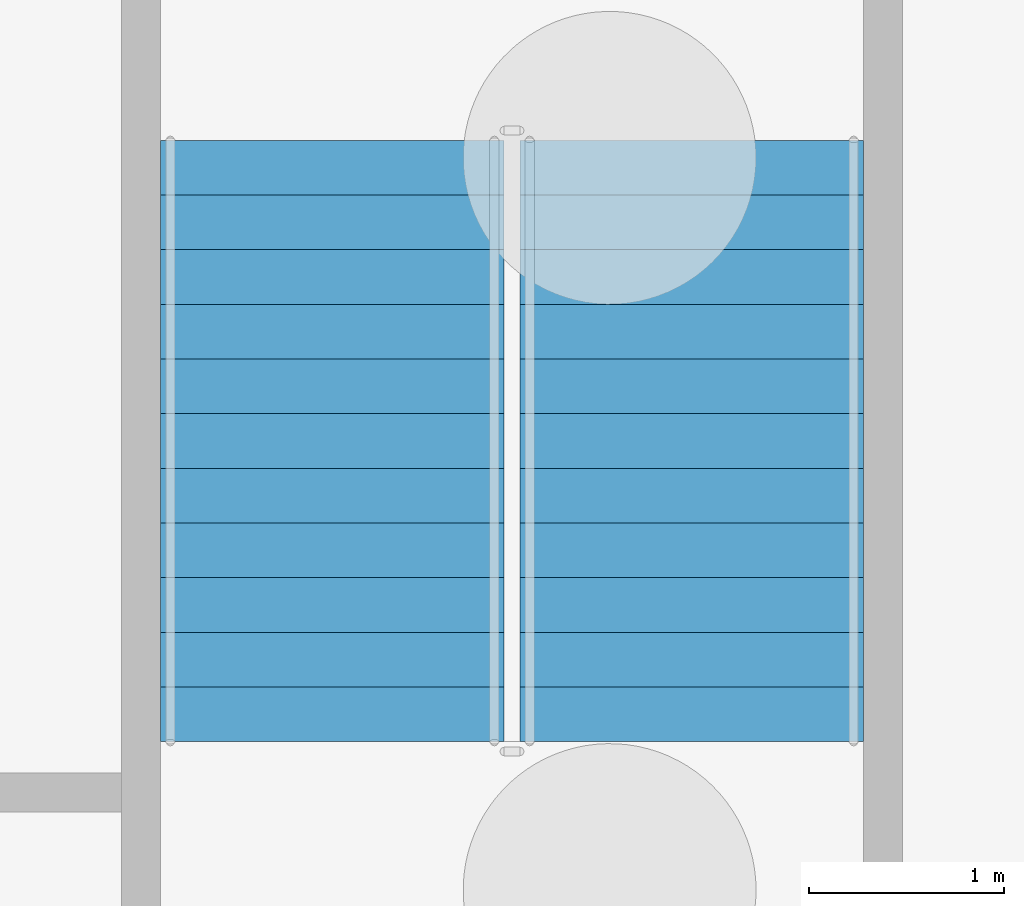
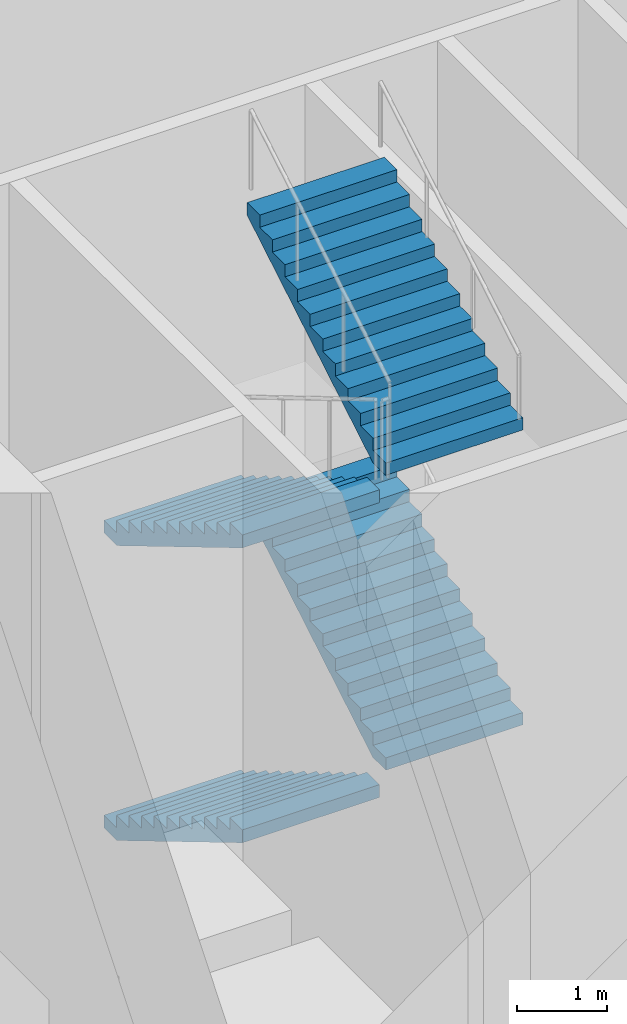
# One storey, part 21 of 34: 4 stair flights, 1 element without a shape of its own.
"""IFC4 building model written with IfcOpenShell, lengths in metres."""

from ifc_helpers import new_model, si_unit, direction, frame, origin, place, context, subcontext, project, spatial, faceted_brep, material, type_object, element, aggregate, save


model = new_model("IFC4")

# Units and contexts
model_context = context("Model", 3, precision=1e-05, world=origin(), true_north=direction((0.0, 1.0)))
body_context = subcontext(model_context, "Body", "Model", "MODEL_VIEW")
ifc_project = project(units=[si_unit("LENGTHUNIT", "METRE"), si_unit("AREAUNIT", "SQUARE_METRE"), si_unit("VOLUMEUNIT", "CUBIC_METRE"), si_unit("PLANEANGLEUNIT", "RADIAN"), si_unit("MASSUNIT", "GRAM", prefix="KILO")], contexts=[model_context])

# Site, building, storey
site_placement = place(None, origin())
site = spatial("IfcSite", under=ifc_project, at=site_placement, CompositionType="ELEMENT")
building_placement = place(site_placement, origin())
building = spatial("IfcBuilding", under=site, at=building_placement, Name="Tarsis Ring Headquarters", CompositionType="ELEMENT")
storey_placement = place(building_placement, origin())
storey = spatial("IfcBuildingStorey", under=building, at=storey_placement, Name="L00", CompositionType="ELEMENT", Elevation=0.0)

# Stair, stair flights
ifc_material_1 = material(Name="Core stair 1760")
stair_type = type_object("IfcStairType", Name="Core stair 1760", PredefinedType="HALF_TURN_STAIR", material=ifc_material_1)
stair_placement = place(storey_placement, origin())
stair = element("IfcStair", 1, at=stair_placement, inside=storey, type_object=stair_type, Name="L00 Exit stair C", PredefinedType="HALF_TURN_STAIR")
ifc_material_2 = material(Name="Concrete C40/50", Category="concrete")
stair_flight_type = type_object("IfcStairFlightType", Name="Core stair flight 1760", PredefinedType="STRAIGHT", material=ifc_material_2)
stair_flight_1_placement = place(storey_placement, frame((-5.419921875, -3.659912109375, 0.0), z_axis=(0.0, 0.0, 1.0), x_axis=(0.0, -1.0, 0.0)))
stair_flight_1 = element("IfcStairFlight", 2, at=stair_flight_1_placement, type_object=stair_flight_type, Name="Stair ST3 flight 1", NumberOfRisers=12, NumberOfTreads=11, PredefinedType="STRAIGHT", RiserHeight=0.166666667, TreadLength=0.28, context=body_context, shape_type="Brep", body=[
    faceted_brep([(0.0, 0.8798828125, 0.0), (0.0, 0.8798828125, 0.166748046875), (0.280029296875, 0.8798828125, 0.166748046875), (0.280029296875, 0.8798828125, 0.333251953125), (0.56005859375, 0.8798828125, 0.333251953125), (0.56005859375, 0.8798828125, 0.5), (0.840087890625, 0.8798828125, 0.5), (0.840087890625, 0.8798828125, 0.666748046875), (1.1201171875, 0.8798828125, 0.666748046875), (1.1201171875, 0.8798828125, 0.833251953125), (1.39990234375, 0.8798828125, 0.833251953125), (1.39990234375, 0.8798828125, 1.0), (1.679931640625, 0.8798828125, 1.0), (1.679931640625, 0.8798828125, 1.166748046875), (1.9599609375, 0.8798828125, 1.166748046875), (1.9599609375, 0.8798828125, 1.333251953125), (2.239990234375, 0.8798828125, 1.333251953125), (2.239990234375, 0.8798828125, 1.5), (2.52001953125, 0.8798828125, 1.5), (2.52001953125, 0.8798828125, 1.666748046875), (2.800048828125, 0.8798828125, 1.666748046875), (2.800048828125, 0.8798828125, 1.833251953125), (3.080078125, 0.8798828125, 1.833251953125), (3.080078125, 0.8798828125, 1.658935546875), (0.29296875, 0.8798828125, 0.0), (0.29296875, -0.8798828125, 0.0), (3.080078125, -0.8798828125, 1.658935546875), (3.080078125, -0.8798828125, 1.833251953125), (2.800048828125, -0.8798828125, 1.833251953125), (2.800048828125, -0.8798828125, 1.666748046875), (2.52001953125, -0.8798828125, 1.666748046875), (2.52001953125, -0.8798828125, 1.5), (2.239990234375, -0.8798828125, 1.5), (2.239990234375, -0.8798828125, 1.333251953125), (1.9599609375, -0.8798828125, 1.333251953125), (1.9599609375, -0.8798828125, 1.166748046875), (1.679931640625, -0.8798828125, 1.166748046875), (1.679931640625, -0.8798828125, 1.0), (1.39990234375, -0.8798828125, 1.0), (1.39990234375, -0.8798828125, 0.833251953125), (1.1201171875, -0.8798828125, 0.833251953125), (1.1201171875, -0.8798828125, 0.666748046875), (0.840087890625, -0.8798828125, 0.666748046875), (0.840087890625, -0.8798828125, 0.5), (0.56005859375, -0.8798828125, 0.5), (0.56005859375, -0.8798828125, 0.333251953125), (0.280029296875, -0.8798828125, 0.333251953125), (0.280029296875, -0.8798828125, 0.166748046875), (0.0, -0.8798828125, 0.166748046875), (0.0, -0.8798828125, 0.0), (0.0, -0.43994140625, 0.166748046875), (0.0, -0.43994140625, 0.0), (0.0, 0.0, 0.166748046875), (0.0, 0.0, 0.0), (0.0, 0.43994140625, 0.166748046875), (0.0, 0.43994140625, 0.0), (0.280029296875, -0.43994140625, 0.166748046875), (0.280029296875, 0.0, 0.166748046875), (0.280029296875, 0.43994140625, 0.166748046875), (0.280029296875, -0.43994140625, 0.333251953125), (0.280029296875, 0.0, 0.333251953125), (0.280029296875, 0.43994140625, 0.333251953125), (0.56005859375, -0.43994140625, 0.333251953125), (0.56005859375, 0.0, 0.333251953125), (0.56005859375, 0.43994140625, 0.333251953125), (0.56005859375, -0.43994140625, 0.5), (0.56005859375, 0.0, 0.5), (0.56005859375, 0.43994140625, 0.5), (0.840087890625, -0.43994140625, 0.5), (0.840087890625, 0.0, 0.5), (0.840087890625, 0.43994140625, 0.5), (0.840087890625, -0.43994140625, 0.666748046875), (0.840087890625, 0.0, 0.666748046875), (0.840087890625, 0.43994140625, 0.666748046875), (1.1201171875, -0.43994140625, 0.666748046875), (1.1201171875, 0.0, 0.666748046875), (1.1201171875, 0.43994140625, 0.666748046875), (1.1201171875, -0.43994140625, 0.833251953125), (1.1201171875, 0.0, 0.833251953125), (1.1201171875, 0.43994140625, 0.833251953125), (1.39990234375, -0.43994140625, 0.833251953125), (1.39990234375, 0.0, 0.833251953125), (1.39990234375, 0.43994140625, 0.833251953125), (1.39990234375, -0.43994140625, 1.0), (1.39990234375, 0.0, 1.0), (1.39990234375, 0.43994140625, 1.0), (1.679931640625, -0.43994140625, 1.0), (1.679931640625, 0.0, 1.0), (1.679931640625, 0.43994140625, 1.0), (1.679931640625, -0.43994140625, 1.166748046875), (1.679931640625, 0.0, 1.166748046875), (1.679931640625, 0.43994140625, 1.166748046875), (1.9599609375, -0.43994140625, 1.166748046875), (1.9599609375, 0.0, 1.166748046875), (1.9599609375, 0.43994140625, 1.166748046875), (1.9599609375, -0.43994140625, 1.333251953125), (1.9599609375, 0.0, 1.333251953125), (1.9599609375, 0.43994140625, 1.333251953125), (2.239990234375, -0.43994140625, 1.333251953125), (2.239990234375, 0.0, 1.333251953125), (2.239990234375, 0.43994140625, 1.333251953125), (2.239990234375, -0.43994140625, 1.5), (2.239990234375, 0.0, 1.5), (2.239990234375, 0.43994140625, 1.5), (2.52001953125, -0.43994140625, 1.5), (2.52001953125, 0.0, 1.5), (2.52001953125, 0.43994140625, 1.5), (2.52001953125, -0.43994140625, 1.666748046875), (2.52001953125, 0.0, 1.666748046875), (2.52001953125, 0.43994140625, 1.666748046875), (2.800048828125, -0.43994140625, 1.666748046875), (2.800048828125, 0.0, 1.666748046875), (2.800048828125, 0.43994140625, 1.666748046875), (2.800048828125, -0.43994140625, 1.833251953125), (2.800048828125, 0.0, 1.833251953125), (2.800048828125, 0.43994140625, 1.833251953125), (3.080078125, -0.43994140625, 1.833251953125), (3.080078125, 0.0, 1.833251953125), (3.080078125, 0.43994140625, 1.833251953125), (3.080078125, -0.43994140625, 1.658935546875), (3.080078125, 0.0, 1.658935546875), (3.080078125, 0.43994140625, 1.658935546875), (0.29296875, -0.43994140625, 0.0), (0.29296875, 0.0, 0.0), (0.29296875, 0.43994140625, 0.0)], [[[0, 1, 2, 3, 4, 5, 6, 7, 8, 9, 10, 11, 12, 13, 14, 15, 16, 17, 18, 19, 20, 21, 22, 23, 24]], [[25, 26, 27, 28, 29, 30, 31, 32, 33, 34, 35, 36, 37, 38, 39, 40, 41, 42, 43, 44, 45, 46, 47, 48, 49]], [[49, 48, 50, 51]], [[51, 50, 52, 53]], [[53, 52, 54, 55]], [[55, 54, 1, 0]], [[48, 47, 56, 50]], [[50, 56, 57, 52]], [[52, 57, 58, 54]], [[54, 58, 2, 1]], [[47, 46, 59, 56]], [[56, 59, 60, 57]], [[57, 60, 61, 58]], [[58, 61, 3, 2]], [[46, 45, 62, 59]], [[59, 62, 63, 60]], [[60, 63, 64, 61]], [[61, 64, 4, 3]], [[45, 44, 65, 62]], [[62, 65, 66, 63]], [[63, 66, 67, 64]], [[64, 67, 5, 4]], [[44, 43, 68, 65]], [[65, 68, 69, 66]], [[66, 69, 70, 67]], [[67, 70, 6, 5]], [[43, 42, 71, 68]], [[68, 71, 72, 69]], [[69, 72, 73, 70]], [[70, 73, 7, 6]], [[42, 41, 74, 71]], [[71, 74, 75, 72]], [[72, 75, 76, 73]], [[73, 76, 8, 7]], [[41, 40, 77, 74]], [[74, 77, 78, 75]], [[75, 78, 79, 76]], [[76, 79, 9, 8]], [[40, 39, 80, 77]], [[77, 80, 81, 78]], [[78, 81, 82, 79]], [[79, 82, 10, 9]], [[39, 38, 83, 80]], [[80, 83, 84, 81]], [[81, 84, 85, 82]], [[82, 85, 11, 10]], [[38, 37, 86, 83]], [[83, 86, 87, 84]], [[84, 87, 88, 85]], [[85, 88, 12, 11]], [[37, 36, 89, 86]], [[86, 89, 90, 87]], [[87, 90, 91, 88]], [[88, 91, 13, 12]], [[36, 35, 92, 89]], [[89, 92, 93, 90]], [[90, 93, 94, 91]], [[91, 94, 14, 13]], [[35, 34, 95, 92]], [[92, 95, 96, 93]], [[93, 96, 97, 94]], [[94, 97, 15, 14]], [[34, 33, 98, 95]], [[95, 98, 99, 96]], [[96, 99, 100, 97]], [[97, 100, 16, 15]], [[33, 32, 101, 98]], [[98, 101, 102, 99]], [[99, 102, 103, 100]], [[100, 103, 17, 16]], [[32, 31, 104, 101]], [[101, 104, 105, 102]], [[102, 105, 106, 103]], [[103, 106, 18, 17]], [[31, 30, 107, 104]], [[104, 107, 108, 105]], [[105, 108, 109, 106]], [[106, 109, 19, 18]], [[30, 29, 110, 107]], [[107, 110, 111, 108]], [[108, 111, 112, 109]], [[109, 112, 20, 19]], [[29, 28, 113, 110]], [[110, 113, 114, 111]], [[111, 114, 115, 112]], [[112, 115, 21, 20]], [[28, 27, 116, 113]], [[113, 116, 117, 114]], [[114, 117, 118, 115]], [[115, 118, 22, 21]], [[27, 26, 119, 116]], [[116, 119, 120, 117]], [[117, 120, 121, 118]], [[118, 121, 23, 22]], [[26, 25, 122, 119]], [[119, 122, 123, 120]], [[120, 123, 124, 121]], [[121, 124, 24, 23]], [[25, 49, 51, 122]], [[122, 51, 53, 123]], [[123, 53, 55, 124]], [[124, 55, 0, 24]]]),
])
stair_flight_2_placement = place(storey_placement, frame((-3.580078125, -6.739990234375, 2.0), z_axis=(0.0, 0.0, 1.0), x_axis=(0.0, 1.0, 0.0)))
stair_flight_2 = element("IfcStairFlight", 3, at=stair_flight_2_placement, type_object=stair_flight_type, Name="Stair ST3 flight 2", NumberOfRisers=12, NumberOfTreads=11, PredefinedType="STRAIGHT", RiserHeight=0.166666667, TreadLength=0.28, context=body_context, shape_type="Brep", body=[
    faceted_brep([(0.0, 0.8798828125, 0.0), (0.0, 0.8798828125, 0.166748046875), (0.280029296875, 0.8798828125, 0.166748046875), (0.280029296875, 0.8798828125, 0.333251953125), (0.56005859375, 0.8798828125, 0.333251953125), (0.56005859375, 0.8798828125, 0.5), (0.840087890625, 0.8798828125, 0.5), (0.840087890625, 0.8798828125, 0.666748046875), (1.1201171875, 0.8798828125, 0.666748046875), (1.1201171875, 0.8798828125, 0.833251953125), (1.39990234375, 0.8798828125, 0.833251953125), (1.39990234375, 0.8798828125, 1.0), (1.679931640625, 0.8798828125, 1.0), (1.679931640625, 0.8798828125, 1.166748046875), (1.9599609375, 0.8798828125, 1.166748046875), (1.9599609375, 0.8798828125, 1.333251953125), (2.239990234375, 0.8798828125, 1.333251953125), (2.239990234375, 0.8798828125, 1.5), (2.52001953125, 0.8798828125, 1.5), (2.52001953125, 0.8798828125, 1.666748046875), (2.800048828125, 0.8798828125, 1.666748046875), (2.800048828125, 0.8798828125, 1.833251953125), (3.080078125, 0.8798828125, 1.833251953125), (3.080078125, 0.8798828125, 1.658935546875), (0.29296875, 0.8798828125, 0.0), (0.29296875, -0.8798828125, 0.0), (3.080078125, -0.8798828125, 1.658935546875), (3.080078125, -0.8798828125, 1.833251953125), (2.800048828125, -0.8798828125, 1.833251953125), (2.800048828125, -0.8798828125, 1.666748046875), (2.52001953125, -0.8798828125, 1.666748046875), (2.52001953125, -0.8798828125, 1.5), (2.239990234375, -0.8798828125, 1.5), (2.239990234375, -0.8798828125, 1.333251953125), (1.9599609375, -0.8798828125, 1.333251953125), (1.9599609375, -0.8798828125, 1.166748046875), (1.679931640625, -0.8798828125, 1.166748046875), (1.679931640625, -0.8798828125, 1.0), (1.39990234375, -0.8798828125, 1.0), (1.39990234375, -0.8798828125, 0.833251953125), (1.1201171875, -0.8798828125, 0.833251953125), (1.1201171875, -0.8798828125, 0.666748046875), (0.840087890625, -0.8798828125, 0.666748046875), (0.840087890625, -0.8798828125, 0.5), (0.56005859375, -0.8798828125, 0.5), (0.56005859375, -0.8798828125, 0.333251953125), (0.280029296875, -0.8798828125, 0.333251953125), (0.280029296875, -0.8798828125, 0.166748046875), (0.0, -0.8798828125, 0.166748046875), (0.0, -0.8798828125, 0.0), (0.0, -0.43994140625, 0.166748046875), (0.0, -0.43994140625, 0.0), (0.0, 0.0, 0.166748046875), (0.0, 0.0, 0.0), (0.0, 0.43994140625, 0.166748046875), (0.0, 0.43994140625, 0.0), (0.280029296875, -0.43994140625, 0.166748046875), (0.280029296875, 0.0, 0.166748046875), (0.280029296875, 0.43994140625, 0.166748046875), (0.280029296875, -0.43994140625, 0.333251953125), (0.280029296875, 0.0, 0.333251953125), (0.280029296875, 0.43994140625, 0.333251953125), (0.56005859375, -0.43994140625, 0.333251953125), (0.56005859375, 0.0, 0.333251953125), (0.56005859375, 0.43994140625, 0.333251953125), (0.56005859375, -0.43994140625, 0.5), (0.56005859375, 0.0, 0.5), (0.56005859375, 0.43994140625, 0.5), (0.840087890625, -0.43994140625, 0.5), (0.840087890625, 0.0, 0.5), (0.840087890625, 0.43994140625, 0.5), (0.840087890625, -0.43994140625, 0.666748046875), (0.840087890625, 0.0, 0.666748046875), (0.840087890625, 0.43994140625, 0.666748046875), (1.1201171875, -0.43994140625, 0.666748046875), (1.1201171875, 0.0, 0.666748046875), (1.1201171875, 0.43994140625, 0.666748046875), (1.1201171875, -0.43994140625, 0.833251953125), (1.1201171875, 0.0, 0.833251953125), (1.1201171875, 0.43994140625, 0.833251953125), (1.39990234375, -0.43994140625, 0.833251953125), (1.39990234375, 0.0, 0.833251953125), (1.39990234375, 0.43994140625, 0.833251953125), (1.39990234375, -0.43994140625, 1.0), (1.39990234375, 0.0, 1.0), (1.39990234375, 0.43994140625, 1.0), (1.679931640625, -0.43994140625, 1.0), (1.679931640625, 0.0, 1.0), (1.679931640625, 0.43994140625, 1.0), (1.679931640625, -0.43994140625, 1.166748046875), (1.679931640625, 0.0, 1.166748046875), (1.679931640625, 0.43994140625, 1.166748046875), (1.9599609375, -0.43994140625, 1.166748046875), (1.9599609375, 0.0, 1.166748046875), (1.9599609375, 0.43994140625, 1.166748046875), (1.9599609375, -0.43994140625, 1.333251953125), (1.9599609375, 0.0, 1.333251953125), (1.9599609375, 0.43994140625, 1.333251953125), (2.239990234375, -0.43994140625, 1.333251953125), (2.239990234375, 0.0, 1.333251953125), (2.239990234375, 0.43994140625, 1.333251953125), (2.239990234375, -0.43994140625, 1.5), (2.239990234375, 0.0, 1.5), (2.239990234375, 0.43994140625, 1.5), (2.52001953125, -0.43994140625, 1.5), (2.52001953125, 0.0, 1.5), (2.52001953125, 0.43994140625, 1.5), (2.52001953125, -0.43994140625, 1.666748046875), (2.52001953125, 0.0, 1.666748046875), (2.52001953125, 0.43994140625, 1.666748046875), (2.800048828125, -0.43994140625, 1.666748046875), (2.800048828125, 0.0, 1.666748046875), (2.800048828125, 0.43994140625, 1.666748046875), (2.800048828125, -0.43994140625, 1.833251953125), (2.800048828125, 0.0, 1.833251953125), (2.800048828125, 0.43994140625, 1.833251953125), (3.080078125, -0.43994140625, 1.833251953125), (3.080078125, 0.0, 1.833251953125), (3.080078125, 0.43994140625, 1.833251953125), (3.080078125, -0.43994140625, 1.658935546875), (3.080078125, 0.0, 1.658935546875), (3.080078125, 0.43994140625, 1.658935546875), (0.29296875, -0.43994140625, 0.0), (0.29296875, 0.0, 0.0), (0.29296875, 0.43994140625, 0.0)], [[[0, 1, 2, 3, 4, 5, 6, 7, 8, 9, 10, 11, 12, 13, 14, 15, 16, 17, 18, 19, 20, 21, 22, 23, 24]], [[25, 26, 27, 28, 29, 30, 31, 32, 33, 34, 35, 36, 37, 38, 39, 40, 41, 42, 43, 44, 45, 46, 47, 48, 49]], [[49, 48, 50, 51]], [[51, 50, 52, 53]], [[53, 52, 54, 55]], [[55, 54, 1, 0]], [[48, 47, 56, 50]], [[50, 56, 57, 52]], [[52, 57, 58, 54]], [[54, 58, 2, 1]], [[47, 46, 59, 56]], [[56, 59, 60, 57]], [[57, 60, 61, 58]], [[58, 61, 3, 2]], [[46, 45, 62, 59]], [[59, 62, 63, 60]], [[60, 63, 64, 61]], [[61, 64, 4, 3]], [[45, 44, 65, 62]], [[62, 65, 66, 63]], [[63, 66, 67, 64]], [[64, 67, 5, 4]], [[44, 43, 68, 65]], [[65, 68, 69, 66]], [[66, 69, 70, 67]], [[67, 70, 6, 5]], [[43, 42, 71, 68]], [[68, 71, 72, 69]], [[69, 72, 73, 70]], [[70, 73, 7, 6]], [[42, 41, 74, 71]], [[71, 74, 75, 72]], [[72, 75, 76, 73]], [[73, 76, 8, 7]], [[41, 40, 77, 74]], [[74, 77, 78, 75]], [[75, 78, 79, 76]], [[76, 79, 9, 8]], [[40, 39, 80, 77]], [[77, 80, 81, 78]], [[78, 81, 82, 79]], [[79, 82, 10, 9]], [[39, 38, 83, 80]], [[80, 83, 84, 81]], [[81, 84, 85, 82]], [[82, 85, 11, 10]], [[38, 37, 86, 83]], [[83, 86, 87, 84]], [[84, 87, 88, 85]], [[85, 88, 12, 11]], [[37, 36, 89, 86]], [[86, 89, 90, 87]], [[87, 90, 91, 88]], [[88, 91, 13, 12]], [[36, 35, 92, 89]], [[89, 92, 93, 90]], [[90, 93, 94, 91]], [[91, 94, 14, 13]], [[35, 34, 95, 92]], [[92, 95, 96, 93]], [[93, 96, 97, 94]], [[94, 97, 15, 14]], [[34, 33, 98, 95]], [[95, 98, 99, 96]], [[96, 99, 100, 97]], [[97, 100, 16, 15]], [[33, 32, 101, 98]], [[98, 101, 102, 99]], [[99, 102, 103, 100]], [[100, 103, 17, 16]], [[32, 31, 104, 101]], [[101, 104, 105, 102]], [[102, 105, 106, 103]], [[103, 106, 18, 17]], [[31, 30, 107, 104]], [[104, 107, 108, 105]], [[105, 108, 109, 106]], [[106, 109, 19, 18]], [[30, 29, 110, 107]], [[107, 110, 111, 108]], [[108, 111, 112, 109]], [[109, 112, 20, 19]], [[29, 28, 113, 110]], [[110, 113, 114, 111]], [[111, 114, 115, 112]], [[112, 115, 21, 20]], [[28, 27, 116, 113]], [[113, 116, 117, 114]], [[114, 117, 118, 115]], [[115, 118, 22, 21]], [[27, 26, 119, 116]], [[116, 119, 120, 117]], [[117, 120, 121, 118]], [[118, 121, 23, 22]], [[26, 25, 122, 119]], [[119, 122, 123, 120]], [[120, 123, 124, 121]], [[121, 124, 24, 23]], [[25, 49, 51, 122]], [[122, 51, 53, 123]], [[123, 53, 55, 124]], [[124, 55, 0, 24]]]),
])
stair_flight_3_placement = place(storey_placement, frame((-5.419921875, -3.659912109375, 4.0), z_axis=(0.0, 0.0, 1.0), x_axis=(0.0, -1.0, 0.0)))
stair_flight_3 = element("IfcStairFlight", 4, at=stair_flight_3_placement, type_object=stair_flight_type, Name="Stair ST3 flight 3", NumberOfRisers=12, NumberOfTreads=11, PredefinedType="STRAIGHT", RiserHeight=0.166666667, TreadLength=0.28, context=body_context, shape_type="Brep", body=[
    faceted_brep([(0.0, 0.8798828125, 0.0), (0.0, 0.8798828125, 0.166748046875), (0.280029296875, 0.8798828125, 0.166748046875), (0.280029296875, 0.8798828125, 0.333251953125), (0.56005859375, 0.8798828125, 0.333251953125), (0.56005859375, 0.8798828125, 0.5), (0.840087890625, 0.8798828125, 0.5), (0.840087890625, 0.8798828125, 0.666748046875), (1.1201171875, 0.8798828125, 0.666748046875), (1.1201171875, 0.8798828125, 0.833251953125), (1.39990234375, 0.8798828125, 0.833251953125), (1.39990234375, 0.8798828125, 1.0), (1.679931640625, 0.8798828125, 1.0), (1.679931640625, 0.8798828125, 1.166748046875), (1.9599609375, 0.8798828125, 1.166748046875), (1.9599609375, 0.8798828125, 1.333251953125), (2.239990234375, 0.8798828125, 1.333251953125), (2.239990234375, 0.8798828125, 1.5), (2.52001953125, 0.8798828125, 1.5), (2.52001953125, 0.8798828125, 1.666748046875), (2.800048828125, 0.8798828125, 1.666748046875), (2.800048828125, 0.8798828125, 1.833251953125), (3.080078125, 0.8798828125, 1.833251953125), (3.080078125, 0.8798828125, 1.658935546875), (0.29296875, 0.8798828125, 0.0), (0.29296875, -0.8798828125, 0.0), (3.080078125, -0.8798828125, 1.658935546875), (3.080078125, -0.8798828125, 1.833251953125), (2.800048828125, -0.8798828125, 1.833251953125), (2.800048828125, -0.8798828125, 1.666748046875), (2.52001953125, -0.8798828125, 1.666748046875), (2.52001953125, -0.8798828125, 1.5), (2.239990234375, -0.8798828125, 1.5), (2.239990234375, -0.8798828125, 1.333251953125), (1.9599609375, -0.8798828125, 1.333251953125), (1.9599609375, -0.8798828125, 1.166748046875), (1.679931640625, -0.8798828125, 1.166748046875), (1.679931640625, -0.8798828125, 1.0), (1.39990234375, -0.8798828125, 1.0), (1.39990234375, -0.8798828125, 0.833251953125), (1.1201171875, -0.8798828125, 0.833251953125), (1.1201171875, -0.8798828125, 0.666748046875), (0.840087890625, -0.8798828125, 0.666748046875), (0.840087890625, -0.8798828125, 0.5), (0.56005859375, -0.8798828125, 0.5), (0.56005859375, -0.8798828125, 0.333251953125), (0.280029296875, -0.8798828125, 0.333251953125), (0.280029296875, -0.8798828125, 0.166748046875), (0.0, -0.8798828125, 0.166748046875), (0.0, -0.8798828125, 0.0), (0.0, -0.43994140625, 0.166748046875), (0.0, -0.43994140625, 0.0), (0.0, 0.0, 0.166748046875), (0.0, 0.0, 0.0), (0.0, 0.43994140625, 0.166748046875), (0.0, 0.43994140625, 0.0), (0.280029296875, -0.43994140625, 0.166748046875), (0.280029296875, 0.0, 0.166748046875), (0.280029296875, 0.43994140625, 0.166748046875), (0.280029296875, -0.43994140625, 0.333251953125), (0.280029296875, 0.0, 0.333251953125), (0.280029296875, 0.43994140625, 0.333251953125), (0.56005859375, -0.43994140625, 0.333251953125), (0.56005859375, 0.0, 0.333251953125), (0.56005859375, 0.43994140625, 0.333251953125), (0.56005859375, -0.43994140625, 0.5), (0.56005859375, 0.0, 0.5), (0.56005859375, 0.43994140625, 0.5), (0.840087890625, -0.43994140625, 0.5), (0.840087890625, 0.0, 0.5), (0.840087890625, 0.43994140625, 0.5), (0.840087890625, -0.43994140625, 0.666748046875), (0.840087890625, 0.0, 0.666748046875), (0.840087890625, 0.43994140625, 0.666748046875), (1.1201171875, -0.43994140625, 0.666748046875), (1.1201171875, 0.0, 0.666748046875), (1.1201171875, 0.43994140625, 0.666748046875), (1.1201171875, -0.43994140625, 0.833251953125), (1.1201171875, 0.0, 0.833251953125), (1.1201171875, 0.43994140625, 0.833251953125), (1.39990234375, -0.43994140625, 0.833251953125), (1.39990234375, 0.0, 0.833251953125), (1.39990234375, 0.43994140625, 0.833251953125), (1.39990234375, -0.43994140625, 1.0), (1.39990234375, 0.0, 1.0), (1.39990234375, 0.43994140625, 1.0), (1.679931640625, -0.43994140625, 1.0), (1.679931640625, 0.0, 1.0), (1.679931640625, 0.43994140625, 1.0), (1.679931640625, -0.43994140625, 1.166748046875), (1.679931640625, 0.0, 1.166748046875), (1.679931640625, 0.43994140625, 1.166748046875), (1.9599609375, -0.43994140625, 1.166748046875), (1.9599609375, 0.0, 1.166748046875), (1.9599609375, 0.43994140625, 1.166748046875), (1.9599609375, -0.43994140625, 1.333251953125), (1.9599609375, 0.0, 1.333251953125), (1.9599609375, 0.43994140625, 1.333251953125), (2.239990234375, -0.43994140625, 1.333251953125), (2.239990234375, 0.0, 1.333251953125), (2.239990234375, 0.43994140625, 1.333251953125), (2.239990234375, -0.43994140625, 1.5), (2.239990234375, 0.0, 1.5), (2.239990234375, 0.43994140625, 1.5), (2.52001953125, -0.43994140625, 1.5), (2.52001953125, 0.0, 1.5), (2.52001953125, 0.43994140625, 1.5), (2.52001953125, -0.43994140625, 1.666748046875), (2.52001953125, 0.0, 1.666748046875), (2.52001953125, 0.43994140625, 1.666748046875), (2.800048828125, -0.43994140625, 1.666748046875), (2.800048828125, 0.0, 1.666748046875), (2.800048828125, 0.43994140625, 1.666748046875), (2.800048828125, -0.43994140625, 1.833251953125), (2.800048828125, 0.0, 1.833251953125), (2.800048828125, 0.43994140625, 1.833251953125), (3.080078125, -0.43994140625, 1.833251953125), (3.080078125, 0.0, 1.833251953125), (3.080078125, 0.43994140625, 1.833251953125), (3.080078125, -0.43994140625, 1.658935546875), (3.080078125, 0.0, 1.658935546875), (3.080078125, 0.43994140625, 1.658935546875), (0.29296875, -0.43994140625, 0.0), (0.29296875, 0.0, 0.0), (0.29296875, 0.43994140625, 0.0)], [[[0, 1, 2, 3, 4, 5, 6, 7, 8, 9, 10, 11, 12, 13, 14, 15, 16, 17, 18, 19, 20, 21, 22, 23, 24]], [[25, 26, 27, 28, 29, 30, 31, 32, 33, 34, 35, 36, 37, 38, 39, 40, 41, 42, 43, 44, 45, 46, 47, 48, 49]], [[49, 48, 50, 51]], [[51, 50, 52, 53]], [[53, 52, 54, 55]], [[55, 54, 1, 0]], [[48, 47, 56, 50]], [[50, 56, 57, 52]], [[52, 57, 58, 54]], [[54, 58, 2, 1]], [[47, 46, 59, 56]], [[56, 59, 60, 57]], [[57, 60, 61, 58]], [[58, 61, 3, 2]], [[46, 45, 62, 59]], [[59, 62, 63, 60]], [[60, 63, 64, 61]], [[61, 64, 4, 3]], [[45, 44, 65, 62]], [[62, 65, 66, 63]], [[63, 66, 67, 64]], [[64, 67, 5, 4]], [[44, 43, 68, 65]], [[65, 68, 69, 66]], [[66, 69, 70, 67]], [[67, 70, 6, 5]], [[43, 42, 71, 68]], [[68, 71, 72, 69]], [[69, 72, 73, 70]], [[70, 73, 7, 6]], [[42, 41, 74, 71]], [[71, 74, 75, 72]], [[72, 75, 76, 73]], [[73, 76, 8, 7]], [[41, 40, 77, 74]], [[74, 77, 78, 75]], [[75, 78, 79, 76]], [[76, 79, 9, 8]], [[40, 39, 80, 77]], [[77, 80, 81, 78]], [[78, 81, 82, 79]], [[79, 82, 10, 9]], [[39, 38, 83, 80]], [[80, 83, 84, 81]], [[81, 84, 85, 82]], [[82, 85, 11, 10]], [[38, 37, 86, 83]], [[83, 86, 87, 84]], [[84, 87, 88, 85]], [[85, 88, 12, 11]], [[37, 36, 89, 86]], [[86, 89, 90, 87]], [[87, 90, 91, 88]], [[88, 91, 13, 12]], [[36, 35, 92, 89]], [[89, 92, 93, 90]], [[90, 93, 94, 91]], [[91, 94, 14, 13]], [[35, 34, 95, 92]], [[92, 95, 96, 93]], [[93, 96, 97, 94]], [[94, 97, 15, 14]], [[34, 33, 98, 95]], [[95, 98, 99, 96]], [[96, 99, 100, 97]], [[97, 100, 16, 15]], [[33, 32, 101, 98]], [[98, 101, 102, 99]], [[99, 102, 103, 100]], [[100, 103, 17, 16]], [[32, 31, 104, 101]], [[101, 104, 105, 102]], [[102, 105, 106, 103]], [[103, 106, 18, 17]], [[31, 30, 107, 104]], [[104, 107, 108, 105]], [[105, 108, 109, 106]], [[106, 109, 19, 18]], [[30, 29, 110, 107]], [[107, 110, 111, 108]], [[108, 111, 112, 109]], [[109, 112, 20, 19]], [[29, 28, 113, 110]], [[110, 113, 114, 111]], [[111, 114, 115, 112]], [[112, 115, 21, 20]], [[28, 27, 116, 113]], [[113, 116, 117, 114]], [[114, 117, 118, 115]], [[115, 118, 22, 21]], [[27, 26, 119, 116]], [[116, 119, 120, 117]], [[117, 120, 121, 118]], [[118, 121, 23, 22]], [[26, 25, 122, 119]], [[119, 122, 123, 120]], [[120, 123, 124, 121]], [[121, 124, 24, 23]], [[25, 49, 51, 122]], [[122, 51, 53, 123]], [[123, 53, 55, 124]], [[124, 55, 0, 24]]]),
])
stair_flight_4_placement = place(storey_placement, frame((-3.580078125, -6.739990234375, 6.0), z_axis=(0.0, 0.0, 1.0), x_axis=(0.0, 1.0, 0.0)))
stair_flight_4 = element("IfcStairFlight", 5, at=stair_flight_4_placement, type_object=stair_flight_type, Name="Stair ST3 flight 4", NumberOfRisers=12, NumberOfTreads=11, PredefinedType="STRAIGHT", RiserHeight=0.166666667, TreadLength=0.28, context=body_context, shape_type="Brep", body=[
    faceted_brep([(0.0, 0.8798828125, 0.0), (0.0, 0.8798828125, 0.166748046875), (0.280029296875, 0.8798828125, 0.166748046875), (0.280029296875, 0.8798828125, 0.333251953125), (0.56005859375, 0.8798828125, 0.333251953125), (0.56005859375, 0.8798828125, 0.5), (0.840087890625, 0.8798828125, 0.5), (0.840087890625, 0.8798828125, 0.666748046875), (1.1201171875, 0.8798828125, 0.666748046875), (1.1201171875, 0.8798828125, 0.833251953125), (1.39990234375, 0.8798828125, 0.833251953125), (1.39990234375, 0.8798828125, 1.0), (1.679931640625, 0.8798828125, 1.0), (1.679931640625, 0.8798828125, 1.166748046875), (1.9599609375, 0.8798828125, 1.166748046875), (1.9599609375, 0.8798828125, 1.333251953125), (2.239990234375, 0.8798828125, 1.333251953125), (2.239990234375, 0.8798828125, 1.5), (2.52001953125, 0.8798828125, 1.5), (2.52001953125, 0.8798828125, 1.666748046875), (2.800048828125, 0.8798828125, 1.666748046875), (2.800048828125, 0.8798828125, 1.833251953125), (3.080078125, 0.8798828125, 1.833251953125), (3.080078125, 0.8798828125, 1.658935546875), (0.29296875, 0.8798828125, 0.0), (0.29296875, -0.8798828125, 0.0), (3.080078125, -0.8798828125, 1.658935546875), (3.080078125, -0.8798828125, 1.833251953125), (2.800048828125, -0.8798828125, 1.833251953125), (2.800048828125, -0.8798828125, 1.666748046875), (2.52001953125, -0.8798828125, 1.666748046875), (2.52001953125, -0.8798828125, 1.5), (2.239990234375, -0.8798828125, 1.5), (2.239990234375, -0.8798828125, 1.333251953125), (1.9599609375, -0.8798828125, 1.333251953125), (1.9599609375, -0.8798828125, 1.166748046875), (1.679931640625, -0.8798828125, 1.166748046875), (1.679931640625, -0.8798828125, 1.0), (1.39990234375, -0.8798828125, 1.0), (1.39990234375, -0.8798828125, 0.833251953125), (1.1201171875, -0.8798828125, 0.833251953125), (1.1201171875, -0.8798828125, 0.666748046875), (0.840087890625, -0.8798828125, 0.666748046875), (0.840087890625, -0.8798828125, 0.5), (0.56005859375, -0.8798828125, 0.5), (0.56005859375, -0.8798828125, 0.333251953125), (0.280029296875, -0.8798828125, 0.333251953125), (0.280029296875, -0.8798828125, 0.166748046875), (0.0, -0.8798828125, 0.166748046875), (0.0, -0.8798828125, 0.0), (0.0, -0.43994140625, 0.166748046875), (0.0, -0.43994140625, 0.0), (0.0, 0.0, 0.166748046875), (0.0, 0.0, 0.0), (0.0, 0.43994140625, 0.166748046875), (0.0, 0.43994140625, 0.0), (0.280029296875, -0.43994140625, 0.166748046875), (0.280029296875, 0.0, 0.166748046875), (0.280029296875, 0.43994140625, 0.166748046875), (0.280029296875, -0.43994140625, 0.333251953125), (0.280029296875, 0.0, 0.333251953125), (0.280029296875, 0.43994140625, 0.333251953125), (0.56005859375, -0.43994140625, 0.333251953125), (0.56005859375, 0.0, 0.333251953125), (0.56005859375, 0.43994140625, 0.333251953125), (0.56005859375, -0.43994140625, 0.5), (0.56005859375, 0.0, 0.5), (0.56005859375, 0.43994140625, 0.5), (0.840087890625, -0.43994140625, 0.5), (0.840087890625, 0.0, 0.5), (0.840087890625, 0.43994140625, 0.5), (0.840087890625, -0.43994140625, 0.666748046875), (0.840087890625, 0.0, 0.666748046875), (0.840087890625, 0.43994140625, 0.666748046875), (1.1201171875, -0.43994140625, 0.666748046875), (1.1201171875, 0.0, 0.666748046875), (1.1201171875, 0.43994140625, 0.666748046875), (1.1201171875, -0.43994140625, 0.833251953125), (1.1201171875, 0.0, 0.833251953125), (1.1201171875, 0.43994140625, 0.833251953125), (1.39990234375, -0.43994140625, 0.833251953125), (1.39990234375, 0.0, 0.833251953125), (1.39990234375, 0.43994140625, 0.833251953125), (1.39990234375, -0.43994140625, 1.0), (1.39990234375, 0.0, 1.0), (1.39990234375, 0.43994140625, 1.0), (1.679931640625, -0.43994140625, 1.0), (1.679931640625, 0.0, 1.0), (1.679931640625, 0.43994140625, 1.0), (1.679931640625, -0.43994140625, 1.166748046875), (1.679931640625, 0.0, 1.166748046875), (1.679931640625, 0.43994140625, 1.166748046875), (1.9599609375, -0.43994140625, 1.166748046875), (1.9599609375, 0.0, 1.166748046875), (1.9599609375, 0.43994140625, 1.166748046875), (1.9599609375, -0.43994140625, 1.333251953125), (1.9599609375, 0.0, 1.333251953125), (1.9599609375, 0.43994140625, 1.333251953125), (2.239990234375, -0.43994140625, 1.333251953125), (2.239990234375, 0.0, 1.333251953125), (2.239990234375, 0.43994140625, 1.333251953125), (2.239990234375, -0.43994140625, 1.5), (2.239990234375, 0.0, 1.5), (2.239990234375, 0.43994140625, 1.5), (2.52001953125, -0.43994140625, 1.5), (2.52001953125, 0.0, 1.5), (2.52001953125, 0.43994140625, 1.5), (2.52001953125, -0.43994140625, 1.666748046875), (2.52001953125, 0.0, 1.666748046875), (2.52001953125, 0.43994140625, 1.666748046875), (2.800048828125, -0.43994140625, 1.666748046875), (2.800048828125, 0.0, 1.666748046875), (2.800048828125, 0.43994140625, 1.666748046875), (2.800048828125, -0.43994140625, 1.833251953125), (2.800048828125, 0.0, 1.833251953125), (2.800048828125, 0.43994140625, 1.833251953125), (3.080078125, -0.43994140625, 1.833251953125), (3.080078125, 0.0, 1.833251953125), (3.080078125, 0.43994140625, 1.833251953125), (3.080078125, -0.43994140625, 1.658935546875), (3.080078125, 0.0, 1.658935546875), (3.080078125, 0.43994140625, 1.658935546875), (0.29296875, -0.43994140625, 0.0), (0.29296875, 0.0, 0.0), (0.29296875, 0.43994140625, 0.0)], [[[0, 1, 2, 3, 4, 5, 6, 7, 8, 9, 10, 11, 12, 13, 14, 15, 16, 17, 18, 19, 20, 21, 22, 23, 24]], [[25, 26, 27, 28, 29, 30, 31, 32, 33, 34, 35, 36, 37, 38, 39, 40, 41, 42, 43, 44, 45, 46, 47, 48, 49]], [[49, 48, 50, 51]], [[51, 50, 52, 53]], [[53, 52, 54, 55]], [[55, 54, 1, 0]], [[48, 47, 56, 50]], [[50, 56, 57, 52]], [[52, 57, 58, 54]], [[54, 58, 2, 1]], [[47, 46, 59, 56]], [[56, 59, 60, 57]], [[57, 60, 61, 58]], [[58, 61, 3, 2]], [[46, 45, 62, 59]], [[59, 62, 63, 60]], [[60, 63, 64, 61]], [[61, 64, 4, 3]], [[45, 44, 65, 62]], [[62, 65, 66, 63]], [[63, 66, 67, 64]], [[64, 67, 5, 4]], [[44, 43, 68, 65]], [[65, 68, 69, 66]], [[66, 69, 70, 67]], [[67, 70, 6, 5]], [[43, 42, 71, 68]], [[68, 71, 72, 69]], [[69, 72, 73, 70]], [[70, 73, 7, 6]], [[42, 41, 74, 71]], [[71, 74, 75, 72]], [[72, 75, 76, 73]], [[73, 76, 8, 7]], [[41, 40, 77, 74]], [[74, 77, 78, 75]], [[75, 78, 79, 76]], [[76, 79, 9, 8]], [[40, 39, 80, 77]], [[77, 80, 81, 78]], [[78, 81, 82, 79]], [[79, 82, 10, 9]], [[39, 38, 83, 80]], [[80, 83, 84, 81]], [[81, 84, 85, 82]], [[82, 85, 11, 10]], [[38, 37, 86, 83]], [[83, 86, 87, 84]], [[84, 87, 88, 85]], [[85, 88, 12, 11]], [[37, 36, 89, 86]], [[86, 89, 90, 87]], [[87, 90, 91, 88]], [[88, 91, 13, 12]], [[36, 35, 92, 89]], [[89, 92, 93, 90]], [[90, 93, 94, 91]], [[91, 94, 14, 13]], [[35, 34, 95, 92]], [[92, 95, 96, 93]], [[93, 96, 97, 94]], [[94, 97, 15, 14]], [[34, 33, 98, 95]], [[95, 98, 99, 96]], [[96, 99, 100, 97]], [[97, 100, 16, 15]], [[33, 32, 101, 98]], [[98, 101, 102, 99]], [[99, 102, 103, 100]], [[100, 103, 17, 16]], [[32, 31, 104, 101]], [[101, 104, 105, 102]], [[102, 105, 106, 103]], [[103, 106, 18, 17]], [[31, 30, 107, 104]], [[104, 107, 108, 105]], [[105, 108, 109, 106]], [[106, 109, 19, 18]], [[30, 29, 110, 107]], [[107, 110, 111, 108]], [[108, 111, 112, 109]], [[109, 112, 20, 19]], [[29, 28, 113, 110]], [[110, 113, 114, 111]], [[111, 114, 115, 112]], [[112, 115, 21, 20]], [[28, 27, 116, 113]], [[113, 116, 117, 114]], [[114, 117, 118, 115]], [[115, 118, 22, 21]], [[27, 26, 119, 116]], [[116, 119, 120, 117]], [[117, 120, 121, 118]], [[118, 121, 23, 22]], [[26, 25, 122, 119]], [[119, 122, 123, 120]], [[120, 123, 124, 121]], [[121, 124, 24, 23]], [[25, 49, 51, 122]], [[122, 51, 53, 123]], [[123, 53, 55, 124]], [[124, 55, 0, 24]]]),
])
aggregate(stair, [stair_flight_1, stair_flight_2, stair_flight_3, stair_flight_4])

save(model, "model.ifc")
